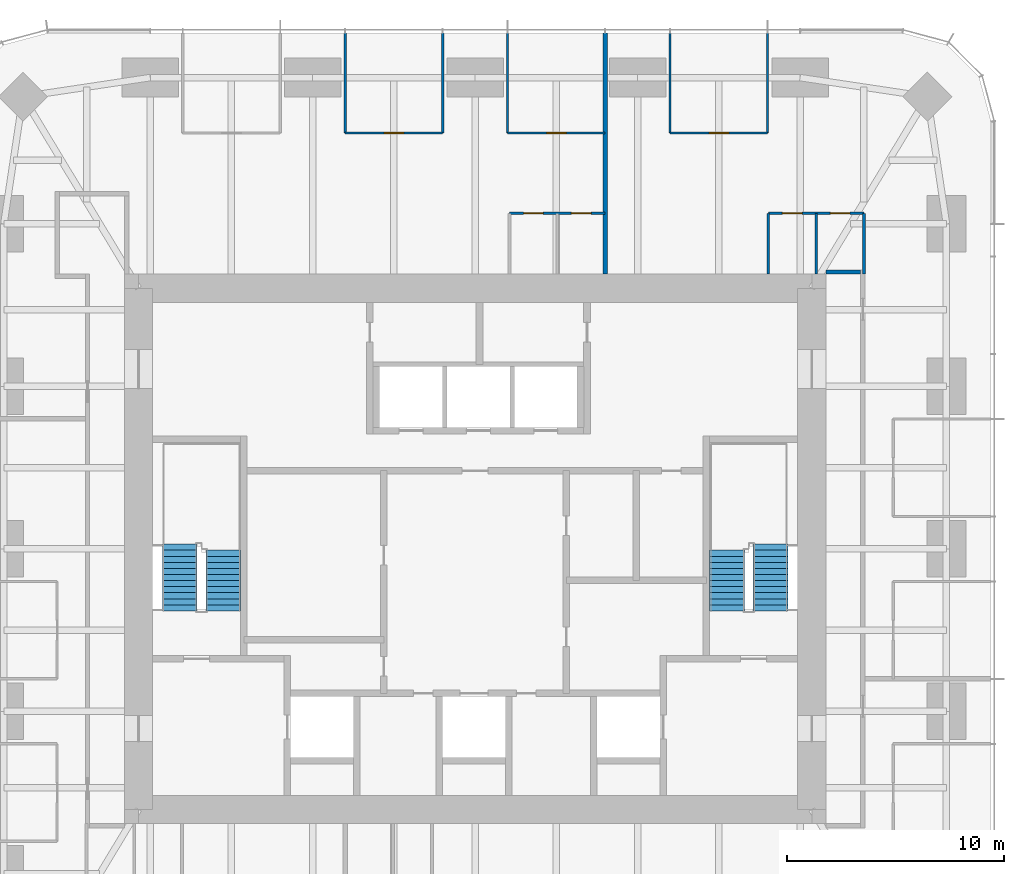
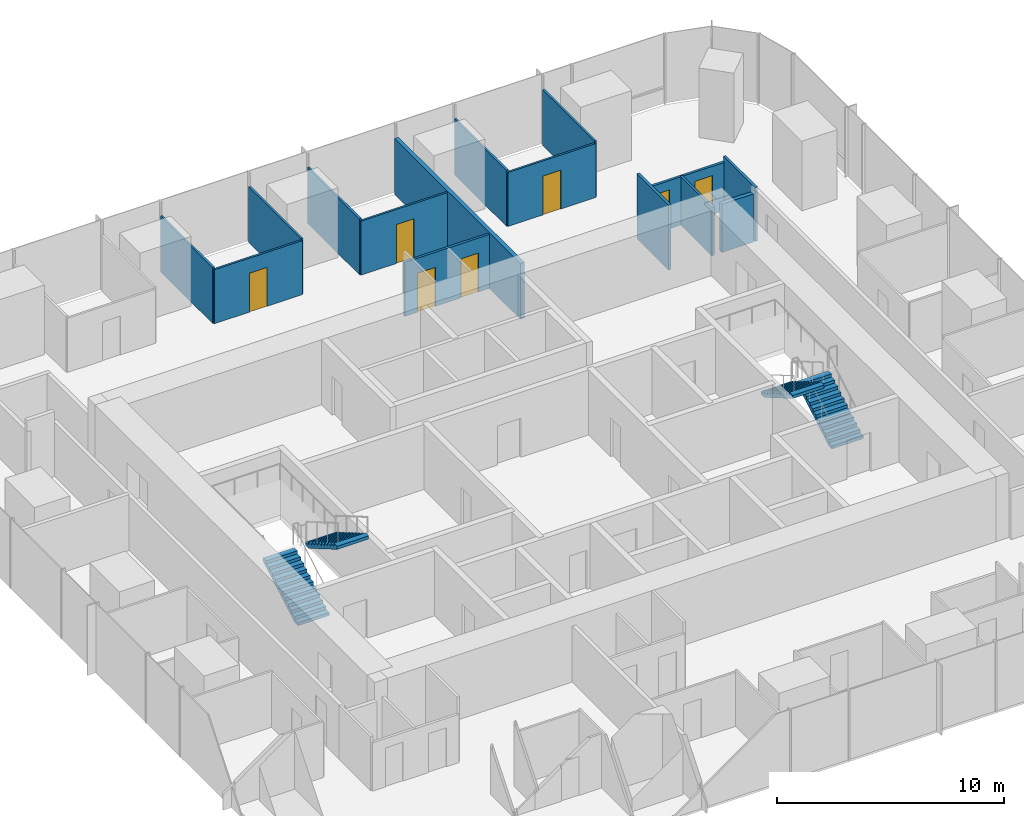
# One storey, part 11 of 12: 15 walls, 7 doors, 4 stair flights, 7 openings, 2 elements without a shape of their own.
"""IFC4 building model written with IfcOpenShell, lengths in metres."""

from ifc_helpers import new_model, si_unit, direction, frame, frame_2d, origin, place, context, subcontext, project, spatial, polyline, rectangle, outline, extrude, material, layer, layer_set, type_object, element, fill, aggregate, save


model = new_model("IFC4")

# Units and contexts
model_context = context("Model", 3, precision=1e-05, world=origin(), true_north=direction((0.0, 1.0)))
body_context = subcontext(model_context, "Body", "Model", "MODEL_VIEW")
ifc_project = project(units=[si_unit("LENGTHUNIT", "METRE"), si_unit("AREAUNIT", "SQUARE_METRE"), si_unit("VOLUMEUNIT", "CUBIC_METRE"), si_unit("PLANEANGLEUNIT", "RADIAN"), si_unit("MASSUNIT", "GRAM", prefix="KILO")], contexts=[model_context])

# Site, building, storey
site_placement = place(None, origin())
site = spatial("IfcSite", under=ifc_project, at=site_placement, CompositionType="ELEMENT")
building_placement = place(site_placement, origin())
building = spatial("IfcBuilding", under=site, at=building_placement, Name="Khuree Lantern Residences", CompositionType="ELEMENT")
storey_placement = place(building_placement, frame((0.0, 0.0, 297.0)))
storey = spatial("IfcBuildingStorey", under=building, at=storey_placement, Name="L74", CompositionType="ELEMENT", Elevation=297.0)

# Wall, openings, doors
ifc_material_1 = material(Name="Moisture-resistant gypsum board on steel studs", Category="steel")
ifc_layer_1 = layer(ifc_material_1, 0.125)
ifc_layer_set_1 = layer_set([ifc_layer_1], Name="BATHROOM WALL BTW125")
wall_type_1 = type_object("IfcWallType", Name="BATHROOM WALL BTW125", PredefinedType="PARTITIONING", material=ifc_layer_set_1)
wall_1_placement = place(storey_placement, frame((17.89990234375, 15.449951171875, 0.0), z_axis=(0.0, 0.0, 1.0), x_axis=(-1.0, 0.0, 0.0)))
wall_1 = element("IfcWall", 1, at=wall_1_placement, inside=storey, type_object=wall_type_1, Name="L74 BATHROOM WALL 01", PredefinedType="PARTITIONING", context=body_context, shape_type="SweptSolid", body=[
    extrude(rectangle(XDim=4.39990234375, YDim=0.125, at=frame_2d((2.199951171875, 0.0))), origin(), (0.0, 0.0, 1.0), 2.60009765625),
])
opening_1_placement = place(wall_1_placement, frame((0.64990234375, 0.0, 0.0)))
opening_1 = element("IfcOpeningElement", 2, at=opening_1_placement, cuts=wall_1, Name="Opening 74-026", PredefinedType="OPENING", context=body_context, shape_type="SweptSolid", body=[
    extrude(rectangle(XDim=0.89990234375, YDim=2.10009765625, at=frame_2d((0.449951171875, 1.050048828125))), frame((0.0, 0.072509765625, 0.0), z_axis=(0.0, -1.0, 0.0), x_axis=(1.0, 0.0, 0.0)), (0.0, 0.0, 1.0), 0.14501953125),
])
opening_2_placement = place(wall_1_placement, frame((2.85009765625, 0.0, 0.0)))
opening_2 = element("IfcOpeningElement", 3, at=opening_2_placement, cuts=wall_1, Name="Opening 74-027", PredefinedType="OPENING", context=body_context, shape_type="SweptSolid", body=[
    extrude(rectangle(XDim=0.89990234375, YDim=2.10009765625, at=frame_2d((0.449951171875, 1.050048828125))), frame((0.0, 0.072509765625, 0.0), z_axis=(0.0, -1.0, 0.0), x_axis=(1.0, 0.0, 0.0)), (0.0, 0.0, 1.0), 0.14501953125),
])
ifc_material_2 = material(Name="Timber door leaf in hardwood frame", Category="wood")
door_type_1 = type_object("IfcDoorType", Name="BATHROOM DOOR 900X2100", OperationType="SINGLE_SWING_LEFT", PredefinedType="DOOR", material=ifc_material_2)
door_1_placement = place(opening_1_placement, origin())
door_1 = element("IfcDoor", 4, at=door_1_placement, inside=storey, type_object=door_type_1, Name="Bathroom door 74-026", OperationType="SINGLE_SWING_LEFT", OverallHeight=2.10009765625, OverallWidth=0.89990234375, PredefinedType="DOOR", context=body_context, shape_type="SweptSolid", body=[
    extrude(rectangle(XDim=0.89990234375, YDim=2.10009765625, at=frame_2d((0.449951171875, 1.050048828125))), frame((0.0, 0.02490234375, 0.0), z_axis=(0.0, -1.0, 0.0), x_axis=(1.0, 0.0, 0.0)), (0.0, 0.0, 1.0), 0.050048828125),
])
fill(opening_1, door_1)
door_2_placement = place(opening_2_placement, origin())
door_2 = element("IfcDoor", 5, at=door_2_placement, inside=storey, type_object=door_type_1, Name="Bathroom door 74-027", OperationType="SINGLE_SWING_LEFT", OverallHeight=2.10009765625, OverallWidth=0.89990234375, PredefinedType="DOOR", context=body_context, shape_type="SweptSolid", body=[
    extrude(rectangle(XDim=0.89990234375, YDim=2.10009765625, at=frame_2d((0.449951171875, 1.050048828125))), frame((0.0, 0.02490234375, 0.0), z_axis=(0.0, -1.0, 0.0), x_axis=(1.0, 0.0, 0.0)), (0.0, 0.0, 1.0), 0.050048828125),
])
fill(opening_2, door_2)

# Walls
wall_2_placement = place(storey_placement, frame((17.89990234375, 12.64990234375, 0.0), z_axis=(0.0, 0.0, 1.0), x_axis=(0.0, 1.0, 0.0)))
element("IfcWall", 6, at=wall_2_placement, inside=storey, type_object=wall_type_1, Name="L74 BATHROOM WALL 01", PredefinedType="PARTITIONING", context=body_context, shape_type="SweptSolid", body=[
    extrude(rectangle(XDim=2.800048828125, YDim=0.125, at=frame_2d((1.39990234375, 0.0))), origin(), (0.0, 0.0, 1.0), 2.89990234375),
])
wall_3_placement = place(storey_placement, frame((15.699951171875, 12.64990234375, 0.0), z_axis=(0.0, 0.0, 1.0), x_axis=(0.0, 1.0, 0.0)))
element("IfcWall", 7, at=wall_3_placement, inside=storey, type_object=wall_type_1, Name="L74 BATHROOM WALL 01", PredefinedType="PARTITIONING", context=body_context, shape_type="SweptSolid", body=[
    extrude(rectangle(XDim=2.800048828125, YDim=0.125, at=frame_2d((1.39990234375, 0.0))), origin(), (0.0, 0.0, 1.0), 2.60009765625),
])
wall_4_placement = place(storey_placement, frame((13.5, 12.64990234375, 0.0), z_axis=(0.0, 0.0, 1.0), x_axis=(0.0, 1.0, 0.0)))
element("IfcWall", 8, at=wall_4_placement, inside=storey, type_object=wall_type_1, Name="L74 BATHROOM WALL 01", PredefinedType="PARTITIONING", context=body_context, shape_type="SweptSolid", body=[
    extrude(rectangle(XDim=2.800048828125, YDim=0.125, at=frame_2d((1.39990234375, 0.0))), origin(), (0.0, 0.0, 1.0), 3.5),
])

# Wall, openings, doors
wall_5_placement = place(storey_placement, frame((5.98388671875, 15.449951171875, 0.0), z_axis=(0.0, 0.0, 1.0), x_axis=(-1.0, 0.0, 0.0)))
wall_5 = element("IfcWall", 9, at=wall_5_placement, inside=storey, type_object=wall_type_1, Name="L74 BATHROOM WALL 02", PredefinedType="PARTITIONING", context=body_context, shape_type="SweptSolid", body=[
    extrude(rectangle(XDim=4.39990234375, YDim=0.125, at=frame_2d((2.199951171875, 0.0))), origin(), (0.0, 0.0, 1.0), 2.909912109375),
])
opening_3_placement = place(wall_5_placement, frame((0.64990234375, 0.0, 0.0)))
opening_3 = element("IfcOpeningElement", 10, at=opening_3_placement, cuts=wall_5, Name="Opening 74-032", PredefinedType="OPENING", context=body_context, shape_type="SweptSolid", body=[
    extrude(rectangle(XDim=0.89990234375, YDim=2.10009765625, at=frame_2d((0.449951171875, 1.050048828125))), frame((0.0, 0.072509765625, 0.0), z_axis=(0.0, -1.0, 0.0), x_axis=(1.0, 0.0, 0.0)), (0.0, 0.0, 1.0), 0.14501953125),
])
opening_4_placement = place(wall_5_placement, frame((2.85009765625, 0.0, 0.0)))
opening_4 = element("IfcOpeningElement", 11, at=opening_4_placement, cuts=wall_5, Name="Opening 74-033", PredefinedType="OPENING", context=body_context, shape_type="SweptSolid", body=[
    extrude(rectangle(XDim=0.89990234375, YDim=2.10009765625, at=frame_2d((0.449951171875, 1.050048828125))), frame((0.0, 0.072509765625, 0.0), z_axis=(0.0, -1.0, 0.0), x_axis=(1.0, 0.0, 0.0)), (0.0, 0.0, 1.0), 0.14501953125),
])
door_3_placement = place(opening_3_placement, origin())
door_3 = element("IfcDoor", 12, at=door_3_placement, inside=storey, type_object=door_type_1, Name="Bathroom door 74-032", OperationType="SINGLE_SWING_LEFT", OverallHeight=2.10009765625, OverallWidth=0.89990234375, PredefinedType="DOOR", context=body_context, shape_type="SweptSolid", body=[
    extrude(rectangle(XDim=0.89990234375, YDim=2.10009765625, at=frame_2d((0.449951171875, 1.050048828125))), frame((0.0, 0.02490234375, 0.0), z_axis=(0.0, -1.0, 0.0), x_axis=(1.0, 0.0, 0.0)), (0.0, 0.0, 1.0), 0.050048828125),
])
fill(opening_3, door_3)
door_4_placement = place(opening_4_placement, origin())
door_4 = element("IfcDoor", 13, at=door_4_placement, inside=storey, type_object=door_type_1, Name="Bathroom door 74-033", OperationType="SINGLE_SWING_LEFT", OverallHeight=2.10009765625, OverallWidth=0.89990234375, PredefinedType="DOOR", context=body_context, shape_type="SweptSolid", body=[
    extrude(rectangle(XDim=0.89990234375, YDim=2.10009765625, at=frame_2d((0.449951171875, 1.050048828125))), frame((0.0, 0.02490234375, 0.0), z_axis=(0.0, -1.0, 0.0), x_axis=(1.0, 0.0, 0.0)), (0.0, 0.0, 1.0), 0.050048828125),
])
fill(opening_4, door_4)

# Walls
ifc_material_3 = material(Name="Gypsum board on steel studs", Category="steel")
ifc_layer_2 = layer(ifc_material_3, 0.199951171875)
ifc_layer_set_2 = layer_set([ifc_layer_2], Name="CORRIDOR WALL CRW200 EI 60")
wall_type_2 = type_object("IfcWallType", Name="CORRIDOR WALL CRW200 EI 60", PredefinedType="PARTITIONING", material=ifc_layer_set_2)
wall_6_placement = place(storey_placement, frame((16.14990234375, 12.75, 0.0), z_axis=(0.0, 0.0, 1.0), x_axis=(1.0, 0.0, 0.0)))
element("IfcWall", 14, at=wall_6_placement, inside=storey, type_object=wall_type_2, Name="L74 EAST CORRIDOR NORTH END WALL", PredefinedType="PARTITIONING", context=body_context, shape_type="SweptSolid", body=[
    extrude(rectangle(XDim=1.60009765625, YDim=0.199951171875, at=frame_2d((0.800048828125, 0.0))), origin(), (0.0, 0.0, 1.0), 2.60009765625),
])
ifc_layer_3 = layer(ifc_material_3, 0.199951171875)
ifc_layer_set_3 = layer_set([ifc_layer_3], Name="DEMISING WALL DMW200 EI 90")
wall_type_3 = type_object("IfcWallType", Name="DEMISING WALL DMW200 EI 90", PredefinedType="PARTITIONING", material=ifc_layer_set_3)
wall_7_placement = place(storey_placement, frame((5.98388671875, 12.64990234375, 0.0), z_axis=(0.0, 0.0, 1.0), x_axis=(0.0, 1.0, 0.0)))
element("IfcWall", 15, at=wall_7_placement, inside=storey, type_object=wall_type_3, Name="L74 DEMISING WALL 02", PredefinedType="PARTITIONING", context=body_context, shape_type="SweptSolid", body=[
    extrude(rectangle(XDim=11.10009765625, YDim=0.199951171875, at=frame_2d((5.550048828125, 0.0))), origin(), (0.0, 0.0, 1.0), 3.010009765625),
])
ifc_layer_4 = layer(ifc_material_3, 0.10009765625)
ifc_layer_set_4 = layer_set([ifc_layer_4], Name="PARTITION PT100")
wall_type_4 = type_object("IfcWallType", Name="PARTITION PT100", PredefinedType="PARTITIONING", material=ifc_layer_set_4)
for number, where, z_axis, x_axis, name in (
    (16, (13.464111328125, 19.14990234375, 0.0), (0.0, 0.0, 1.0), (0.0, 1.0, 0.0), "L74 PARTITION 01"),
    (17, (8.97607421875, 19.14990234375, 0.0), (0.0, 0.0, 1.0), (0.0, 1.0, 0.0), "L74 PARTITION 01"),
    (18, (1.49609375, 19.14990234375, 0.0), (0.0, 0.0, 1.0), (0.0, 1.0, 0.0), "L74 PARTITION 02"),
    (19, (-1.49609375, 19.14990234375, 0.0), (0.0, 0.0, 1.0), (0.0, 1.0, 0.0), "L74 PARTITION 02"),
    (20, (-5.98388671875, 19.14990234375, 0.0), (0.0, 0.0, 1.0), (0.0, 1.0, 0.0), "L74 PARTITION 02"),
):
    element("IfcWall", number, at=place(storey_placement, frame(where, z_axis=z_axis, x_axis=x_axis)), inside=storey, type_object=wall_type_4, Name=name, PredefinedType="PARTITIONING", context=body_context, shape_type="SweptSolid", body=[
        extrude(rectangle(XDim=4.60009765625, YDim=0.10009765625, at=frame_2d((2.300048828125, 0.0))), origin(), (0.0, 0.0, 1.0), 3.010009765625),
    ])

# Wall, opening, door
wall_8_placement = place(storey_placement, frame((13.464111328125, 19.14990234375, 0.0), z_axis=(0.0, 0.0, 1.0), x_axis=(-1.0, 0.0, 0.0)))
wall_8 = element("IfcWall", 21, at=wall_8_placement, inside=storey, type_object=wall_type_4, Name="L74 PARTITION 01", PredefinedType="PARTITIONING", context=body_context, shape_type="SweptSolid", body=[
    extrude(rectangle(XDim=4.488037109375, YDim=0.10009765625, at=frame_2d((2.244140625, 0.0))), origin(), (0.0, 0.0, 1.0), 2.909912109375),
])
opening_5_placement = place(wall_8_placement, frame((1.7939453125, 0.0, 0.0)))
opening_5 = element("IfcOpeningElement", 22, at=opening_5_placement, cuts=wall_8, Name="Opening 74-025", PredefinedType="OPENING", context=body_context, shape_type="SweptSolid", body=[
    extrude(rectangle(XDim=0.89990234375, YDim=2.10009765625, at=frame_2d((0.449951171875, 1.050048828125))), frame((0.0, 0.06005859375, 0.0), z_axis=(0.0, -1.0, 0.0), x_axis=(1.0, 0.0, 0.0)), (0.0, 0.0, 1.0), 0.1201171875),
])
door_type_2 = type_object("IfcDoorType", Name="BEDROOM DOOR 900X2100", OperationType="SINGLE_SWING_LEFT", PredefinedType="DOOR", material=ifc_material_2)
door_5_placement = place(opening_5_placement, origin())
door_5 = element("IfcDoor", 23, at=door_5_placement, inside=storey, type_object=door_type_2, Name="Bedroom door 74-025", OperationType="SINGLE_SWING_LEFT", OverallHeight=2.10009765625, OverallWidth=0.89990234375, PredefinedType="DOOR", context=body_context, shape_type="SweptSolid", body=[
    extrude(rectangle(XDim=0.89990234375, YDim=2.10009765625, at=frame_2d((0.449951171875, 1.050048828125))), frame((0.0, 0.02490234375, 0.0), z_axis=(0.0, -1.0, 0.0), x_axis=(1.0, 0.0, 0.0)), (0.0, 0.0, 1.0), 0.050048828125),
])
fill(opening_5, door_5)

wall_9_placement = place(storey_placement, frame((5.98388671875, 19.14990234375, 0.0), z_axis=(0.0, 0.0, 1.0), x_axis=(-1.0, 0.0, 0.0)))
wall_9 = element("IfcWall", 24, at=wall_9_placement, inside=storey, type_object=wall_type_4, Name="L74 PARTITION 02", PredefinedType="PARTITIONING", context=body_context, shape_type="SweptSolid", body=[
    extrude(rectangle(XDim=4.48779296875, YDim=0.10009765625, at=frame_2d((2.243896484375, 0.0))), origin(), (0.0, 0.0, 1.0), 2.909912109375),
])
opening_6_placement = place(wall_9_placement, frame((1.7939453125, 0.0, 0.0)))
opening_6 = element("IfcOpeningElement", 25, at=opening_6_placement, cuts=wall_9, Name="Opening 74-029", PredefinedType="OPENING", context=body_context, shape_type="SweptSolid", body=[
    extrude(rectangle(XDim=0.89990234375, YDim=2.10009765625, at=frame_2d((0.449951171875, 1.050048828125))), frame((0.0, 0.06005859375, 0.0), z_axis=(0.0, -1.0, 0.0), x_axis=(1.0, 0.0, 0.0)), (0.0, 0.0, 1.0), 0.1201171875),
])
door_6_placement = place(opening_6_placement, origin())
door_6 = element("IfcDoor", 26, at=door_6_placement, inside=storey, type_object=door_type_2, Name="Bedroom door 74-029", OperationType="SINGLE_SWING_LEFT", OverallHeight=2.10009765625, OverallWidth=0.89990234375, PredefinedType="DOOR", context=body_context, shape_type="SweptSolid", body=[
    extrude(rectangle(XDim=0.89990234375, YDim=2.10009765625, at=frame_2d((0.449951171875, 1.050048828125))), frame((0.0, 0.02490234375, 0.0), z_axis=(0.0, -1.0, 0.0), x_axis=(1.0, 0.0, 0.0)), (0.0, 0.0, 1.0), 0.050048828125),
])
fill(opening_6, door_6)

wall_10_placement = place(storey_placement, frame((-1.49609375, 19.14990234375, 0.0), z_axis=(0.0, 0.0, 1.0), x_axis=(-1.0, 0.0, 0.0)))
wall_10 = element("IfcWall", 27, at=wall_10_placement, inside=storey, type_object=wall_type_4, Name="L74 PARTITION 02", PredefinedType="PARTITIONING", context=body_context, shape_type="SweptSolid", body=[
    extrude(rectangle(XDim=4.48779296875, YDim=0.10009765625, at=frame_2d((2.243896484375, 0.0))), origin(), (0.0, 0.0, 1.0), 2.909912109375),
])
opening_7_placement = place(wall_10_placement, frame((1.7939453125, 0.0, 0.0)))
opening_7 = element("IfcOpeningElement", 28, at=opening_7_placement, cuts=wall_10, Name="Opening 74-030", PredefinedType="OPENING", context=body_context, shape_type="SweptSolid", body=[
    extrude(rectangle(XDim=0.89990234375, YDim=2.10009765625, at=frame_2d((0.449951171875, 1.050048828125))), frame((0.0, 0.06005859375, 0.0), z_axis=(0.0, -1.0, 0.0), x_axis=(1.0, 0.0, 0.0)), (0.0, 0.0, 1.0), 0.1201171875),
])
door_7_placement = place(opening_7_placement, origin())
door_7 = element("IfcDoor", 29, at=door_7_placement, inside=storey, type_object=door_type_2, Name="Bedroom door 74-030", OperationType="SINGLE_SWING_LEFT", OverallHeight=2.10009765625, OverallWidth=0.89990234375, PredefinedType="DOOR", context=body_context, shape_type="SweptSolid", body=[
    extrude(rectangle(XDim=0.89990234375, YDim=2.10009765625, at=frame_2d((0.449951171875, 1.050048828125))), frame((0.0, 0.02490234375, 0.0), z_axis=(0.0, -1.0, 0.0), x_axis=(1.0, 0.0, 0.0)), (0.0, 0.0, 1.0), 0.050048828125),
])
fill(opening_7, door_7)

# Stair, stair flights
ifc_material_4 = material(Name="Concrete C40/50", Category="concrete")
stair_type = type_object("IfcStairType", Name="STAIR ST1 HALF TURN 3600", PredefinedType="HALF_TURN_STAIR", material=ifc_material_4)
stair_1_placement = place(storey_placement, origin())
stair_1 = element("IfcStair", 30, at=stair_1_placement, inside=storey, type_object=stair_type, Name="Stair ST1", PredefinedType="HALF_TURN_STAIR")
stair_flight_type = type_object("IfcStairFlightType", Name="STAIR FLIGHT SF1 1600", PredefinedType="STRAIGHT", material=ifc_material_4)
stair_flight_1_placement = place(storey_placement, frame((-13.60009765625, -2.860107421875, 0.0), z_axis=(0.0, 0.0, 1.0), x_axis=(0.0, 1.0, 0.0)))
stair_flight_1 = element("IfcStairFlight", 31, at=stair_flight_1_placement, type_object=stair_flight_type, Name="ST1 flight 1", NumberOfRisers=12, NumberOfTreads=11, PredefinedType="STRAIGHT", RiserHeight=0.163043478, TreadLength=0.28, context=body_context, shape_type="SweptSolid", body=[
    extrude(outline(polyline([(0.0, 0.0), (0.0, 0.1630859375), (0.280029296875, 0.1630859375), (0.280029296875, 0.326171875), (0.56005859375, 0.326171875), (0.56005859375, 0.489013671875), (0.840087890625, 0.489013671875), (0.840087890625, 0.652099609375), (1.1201171875, 0.652099609375), (1.1201171875, 0.815185546875), (1.39990234375, 0.815185546875), (1.39990234375, 0.978271484375), (1.679931640625, 0.978271484375), (1.679931640625, 1.141357421875), (1.9599609375, 1.141357421875), (1.9599609375, 1.304443359375), (2.239990234375, 1.304443359375), (2.239990234375, 1.46728515625), (2.52001953125, 1.46728515625), (2.52001953125, 1.63037109375), (2.800048828125, 1.63037109375), (2.800048828125, 1.79345703125), (3.080078125, 1.79345703125), (3.080078125, 1.95654296875), (3.080078125, 1.6201171875), (0.2978515625, 0.0), (0.0, 0.0)])), frame((0.0, 0.800048828125, 0.0), z_axis=(0.0, -1.0, 0.0), x_axis=(1.0, 0.0, 0.0)), (0.0, 0.0, 1.0), 1.60009765625),
])
stair_flight_2_placement = place(storey_placement, frame((-11.60009765625, -0.06005859375, 1.95654296875), z_axis=(0.0, 0.0, 1.0), x_axis=(0.0, -1.0, 0.0)))
stair_flight_2 = element("IfcStairFlight", 32, at=stair_flight_2_placement, type_object=stair_flight_type, Name="ST1 flight 2", NumberOfRisers=11, NumberOfTreads=10, PredefinedType="STRAIGHT", RiserHeight=0.163043478, TreadLength=0.28, context=body_context, shape_type="SweptSolid", body=[
    extrude(outline(polyline([(0.0, 0.0), (0.0, 0.1630859375), (0.280029296875, 0.1630859375), (0.280029296875, 0.326171875), (0.56005859375, 0.326171875), (0.56005859375, 0.489013671875), (0.840087890625, 0.489013671875), (0.840087890625, 0.652099609375), (1.1201171875, 0.652099609375), (1.1201171875, 0.815185546875), (1.39990234375, 0.815185546875), (1.39990234375, 0.978271484375), (1.679931640625, 0.978271484375), (1.679931640625, 1.141357421875), (1.9599609375, 1.141357421875), (1.9599609375, 1.304443359375), (2.239990234375, 1.304443359375), (2.239990234375, 1.46728515625), (2.52001953125, 1.46728515625), (2.52001953125, 1.63037109375), (2.800048828125, 1.63037109375), (2.800048828125, 1.79345703125), (2.800048828125, 1.45703125), (0.2978515625, 0.0), (0.0, 0.0)])), frame((0.0, 0.800048828125, 0.0), z_axis=(0.0, -1.0, 0.0), x_axis=(1.0, 0.0, 0.0)), (0.0, 0.0, 1.0), 1.60009765625),
])
aggregate(stair_1, [stair_flight_1, stair_flight_2])

stair_2_placement = place(storey_placement, origin())
stair_2 = element("IfcStair", 33, at=stair_2_placement, inside=storey, type_object=stair_type, Name="Stair ST2", PredefinedType="HALF_TURN_STAIR")
stair_flight_3_placement = place(storey_placement, frame((13.60009765625, -2.860107421875, 0.0), z_axis=(0.0, 0.0, 1.0), x_axis=(0.0, 1.0, 0.0)))
stair_flight_3 = element("IfcStairFlight", 34, at=stair_flight_3_placement, type_object=stair_flight_type, Name="ST2 flight 1", NumberOfRisers=12, NumberOfTreads=11, PredefinedType="STRAIGHT", RiserHeight=0.163043478, TreadLength=0.28, context=body_context, shape_type="SweptSolid", body=[
    extrude(outline(polyline([(0.0, 0.0), (0.0, 0.1630859375), (0.280029296875, 0.1630859375), (0.280029296875, 0.326171875), (0.56005859375, 0.326171875), (0.56005859375, 0.489013671875), (0.840087890625, 0.489013671875), (0.840087890625, 0.652099609375), (1.1201171875, 0.652099609375), (1.1201171875, 0.815185546875), (1.39990234375, 0.815185546875), (1.39990234375, 0.978271484375), (1.679931640625, 0.978271484375), (1.679931640625, 1.141357421875), (1.9599609375, 1.141357421875), (1.9599609375, 1.304443359375), (2.239990234375, 1.304443359375), (2.239990234375, 1.46728515625), (2.52001953125, 1.46728515625), (2.52001953125, 1.63037109375), (2.800048828125, 1.63037109375), (2.800048828125, 1.79345703125), (3.080078125, 1.79345703125), (3.080078125, 1.95654296875), (3.080078125, 1.6201171875), (0.2978515625, 0.0), (0.0, 0.0)])), frame((0.0, 0.800048828125, 0.0), z_axis=(0.0, -1.0, 0.0), x_axis=(1.0, 0.0, 0.0)), (0.0, 0.0, 1.0), 1.60009765625),
])
stair_flight_4_placement = place(storey_placement, frame((11.60009765625, -0.06005859375, 1.95654296875), z_axis=(0.0, 0.0, 1.0), x_axis=(0.0, -1.0, 0.0)))
stair_flight_4 = element("IfcStairFlight", 35, at=stair_flight_4_placement, type_object=stair_flight_type, Name="ST2 flight 2", NumberOfRisers=11, NumberOfTreads=10, PredefinedType="STRAIGHT", RiserHeight=0.163043478, TreadLength=0.28, context=body_context, shape_type="SweptSolid", body=[
    extrude(outline(polyline([(0.0, 0.0), (0.0, 0.1630859375), (0.280029296875, 0.1630859375), (0.280029296875, 0.326171875), (0.56005859375, 0.326171875), (0.56005859375, 0.489013671875), (0.840087890625, 0.489013671875), (0.840087890625, 0.652099609375), (1.1201171875, 0.652099609375), (1.1201171875, 0.815185546875), (1.39990234375, 0.815185546875), (1.39990234375, 0.978271484375), (1.679931640625, 0.978271484375), (1.679931640625, 1.141357421875), (1.9599609375, 1.141357421875), (1.9599609375, 1.304443359375), (2.239990234375, 1.304443359375), (2.239990234375, 1.46728515625), (2.52001953125, 1.46728515625), (2.52001953125, 1.63037109375), (2.800048828125, 1.63037109375), (2.800048828125, 1.79345703125), (2.800048828125, 1.45703125), (0.2978515625, 0.0), (0.0, 0.0)])), frame((0.0, 0.800048828125, 0.0), z_axis=(0.0, -1.0, 0.0), x_axis=(1.0, 0.0, 0.0)), (0.0, 0.0, 1.0), 1.60009765625),
])
aggregate(stair_2, [stair_flight_3, stair_flight_4])

save(model, "model.ifc")
